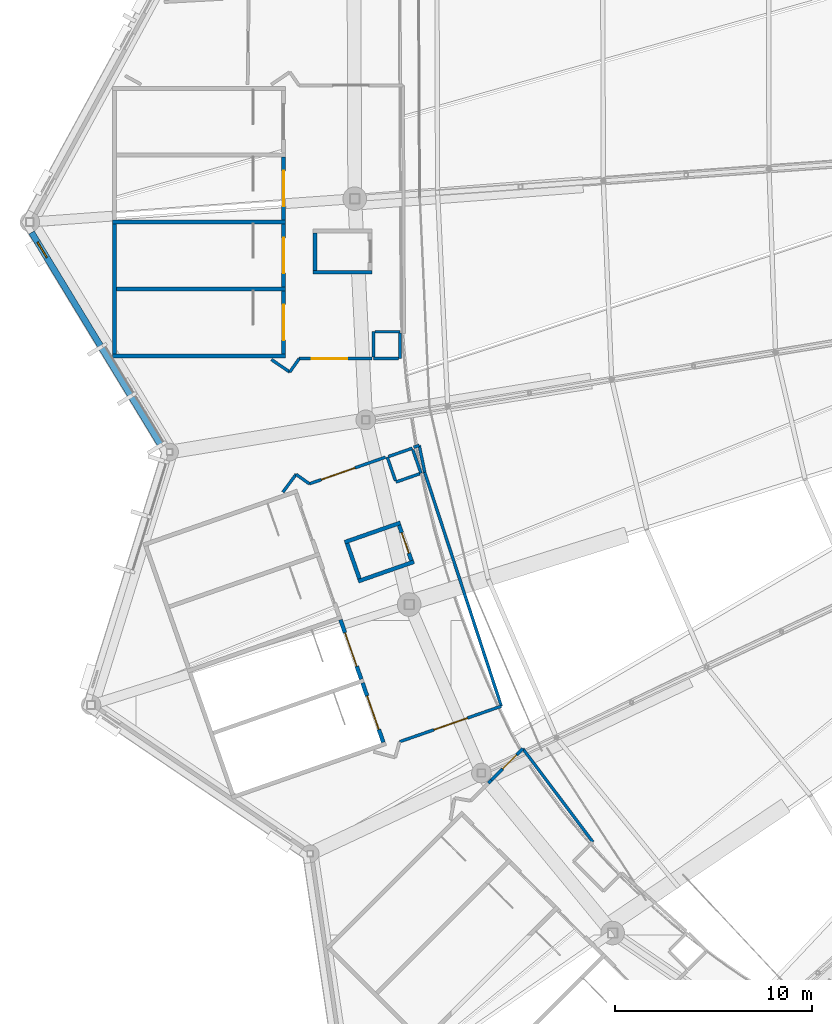
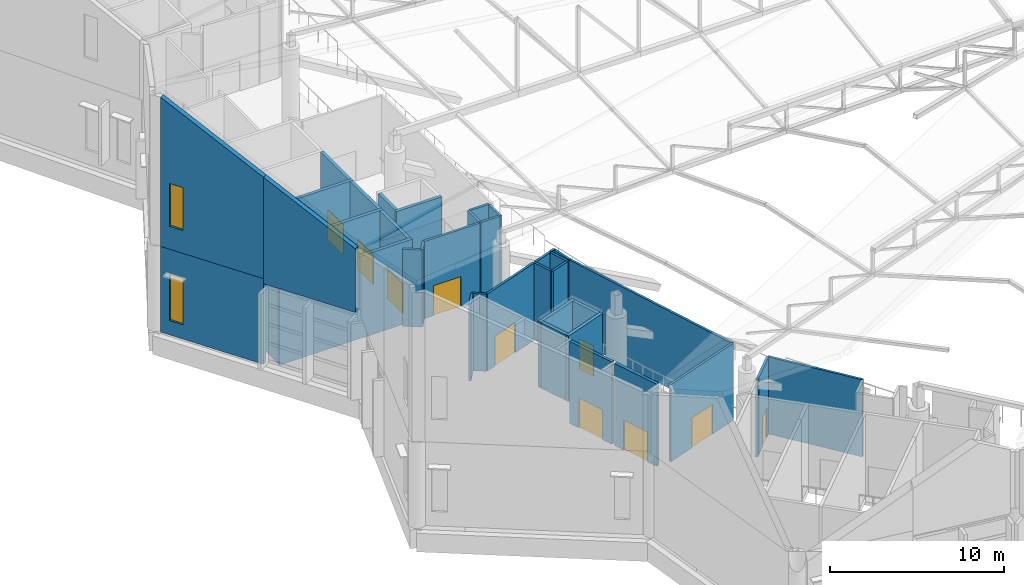
# One storey, part 245 of 344: 39 walls, 10 doors, 2 windows, 12 openings.
"""IFC4 building model written with IfcOpenShell, lengths in metres."""

import ifcopenshell
import ifcopenshell.guid

model = None  # the IFC model being written
_history = None  # IfcOwnerHistory: only IFC2X3 demands one
_inside = {}  # id of a spatial element -> (the spatial element, [elements in it])
_under = {}  # id of a project, library or spatial element -> (it, [spatial elements below it])
_declared = {}  # id of a project -> (the project, [libraries it declares])
_typed = {}  # id of a type object -> (the type object, [elements of that type])
_made_of = {}  # id of a material, layer set ... -> (it, [elements and type objects made of it])


def new_model(schema):
    """Start an empty IFC model of exactly this schema.

    Asked for "IFC4X3", IfcOpenShell would pick the latest addendum, in which some entities
    have other attributes; the version numbers below select the first issue.
    IFC2X3 requires an IfcOwnerHistory on every rooted entity: one is made here for all.
    """
    global model, _history
    if schema == "IFC4X3":
        model = ifcopenshell.file(schema_version=(4, 3, 0, 0))
    else:
        model = ifcopenshell.file(schema=schema)
    _inside.clear()
    _under.clear()
    _declared.clear()
    _typed.clear()
    _made_of.clear()
    _history = None
    if model.schema == "IFC2X3":
        org = make("IfcOrganization", Name="unknown")
        user = make(
            "IfcPersonAndOrganization",
            ThePerson=make("IfcPerson", FamilyName="unknown"),
            TheOrganization=org,
        )
        app = make(
            "IfcApplication",
            ApplicationDeveloper=org,
            Version="unknown",
            ApplicationFullName="unknown",
            ApplicationIdentifier="unknown",
        )
        _history = make(
            "IfcOwnerHistory",
            OwningUser=user,
            OwningApplication=app,
            ChangeAction="ADDED",
            CreationDate=0,
        )
    return model


def make(cls, **values):
    """One entity of the class cls with the attributes given. An attribute that is None is left unset."""
    return model.create_entity(
        cls, **{name: value for name, value in values.items() if value is not None}
    )


def rooted(cls, **values):
    """An entity with a GlobalId (a new one), such as an element, a storey or a relation."""
    return make(cls, GlobalId=ifcopenshell.guid.new(), OwnerHistory=_history, **values)


def si_unit(unit_type, name, prefix=None):
    """IfcSIUnit, for example si_unit("LENGTHUNIT", "METRE", prefix="MILLI")."""
    return make("IfcSIUnit", UnitType=unit_type, Prefix=prefix, Name=name)


def assignment(units):
    """IfcUnitAssignment: the units of a project."""
    return None if units is None else make("IfcUnitAssignment", Units=units)


def point(xyz):
    """IfcCartesianPoint."""
    return None if xyz is None else make("IfcCartesianPoint", Coordinates=xyz)


def direction(xyz):
    """IfcDirection."""
    return None if xyz is None else make("IfcDirection", DirectionRatios=xyz)


def frame(location, z_axis=None, x_axis=None):
    """IfcAxis2Placement3D, a coordinate frame: its origin and axes. An axis left out is left unset."""
    return make(
        "IfcAxis2Placement3D",
        Location=point(location),
        Axis=direction(z_axis),
        RefDirection=direction(x_axis),
    )


def frame_2d(location, x_axis=None):
    """IfcAxis2Placement2D, a coordinate frame in the plane: its origin and x axis."""
    return make(
        "IfcAxis2Placement2D", Location=point(location), RefDirection=direction(x_axis)
    )


def origin():
    """The frame at (0, 0, 0) with its axes left unset."""
    return frame((0.0, 0.0, 0.0))


def place(relative_to, where):
    """IfcLocalPlacement: puts the frame where relative to a parent placement (None: the world)."""
    return make(
        "IfcLocalPlacement", PlacementRelTo=relative_to, RelativePlacement=where
    )


def context(
    kind, dimensions, precision=None, world=None, true_north=None, identifier=None
):
    """IfcGeometricRepresentationContext, for example the 3D "Model" context."""
    return make(
        "IfcGeometricRepresentationContext",
        ContextIdentifier=identifier,
        ContextType=kind,
        CoordinateSpaceDimension=dimensions,
        Precision=precision,
        WorldCoordinateSystem=world,
        TrueNorth=true_north,
    )


def subcontext(parent, identifier, kind, view, scale=None):
    """IfcGeometricRepresentationSubContext, for example "Body" below "Model"."""
    return make(
        "IfcGeometricRepresentationSubContext",
        ContextIdentifier=identifier,
        ContextType=kind,
        ParentContext=parent,
        TargetScale=scale,
        TargetView=view,
    )


def project(units=None, contexts=None):
    """IfcProject with its units and contexts."""
    return rooted(
        "IfcProject",
        Name="project",
        RepresentationContexts=contexts,
        UnitsInContext=assignment(units),
    )


def spatial(cls, under=None, at=None, **own):
    """A site, building, storey or space (cls), placed at a placement, below another one or the project."""
    s = rooted(cls, ObjectPlacement=at, **own)
    if under is not None:
        _under.setdefault(under.id(), (under, []))[1].append(s)
    return s


def polyline(points):
    """IfcPolyline through the points."""
    return make("IfcPolyline", Points=[point(p) for p in points])


def profile(cls, at=None, kind="AREA", **sizes):
    """A parametric profile (cls). Its sizes go by their IFC names, for example OverallWidth=200.0."""
    return make(cls, ProfileType=kind, Position=at, **sizes)


def rectangle(**sizes):
    """IfcRectangleProfileDef."""
    return profile("IfcRectangleProfileDef", **sizes)


def outline(outer, holes=None, kind="AREA"):
    """IfcArbitraryClosedProfileDef: a profile drawn as a closed curve; with holes, ...WithVoids."""
    if holes is None:
        return make("IfcArbitraryClosedProfileDef", ProfileType=kind, OuterCurve=outer)
    return make(
        "IfcArbitraryProfileDefWithVoids",
        ProfileType=kind,
        OuterCurve=outer,
        InnerCurves=holes,
    )


def extrude(swept, where, along, depth):
    """IfcExtrudedAreaSolid: the profile swept, set in the frame where, extruded along a direction by depth."""
    return make(
        "IfcExtrudedAreaSolid",
        SweptArea=swept,
        Position=where,
        ExtrudedDirection=direction(along),
        Depth=depth,
    )


def shape(context_of_items, identifier, shape_type, items):
    """IfcShapeRepresentation: the items that make up one representation, for example the "Body"."""
    return make(
        "IfcShapeRepresentation",
        ContextOfItems=context_of_items,
        RepresentationIdentifier=identifier,
        RepresentationType=shape_type,
        Items=items,
    )


def material(Name=None, Category=None):
    """IfcMaterial."""
    return make("IfcMaterial", Name=Name, Category=Category)


def layer(
    of_material, thickness, ventilated=None, Name=None, Category=None, Priority=None
):
    """IfcMaterialLayer: one layer of a wall or slab, of a material (None: an air gap)."""
    return make(
        "IfcMaterialLayer",
        Material=of_material,
        LayerThickness=thickness,
        IsVentilated=ventilated,
        Name=Name,
        Category=Category,
        Priority=Priority,
    )


def layer_set(layers, Name=None):
    """IfcMaterialLayerSet."""
    return make("IfcMaterialLayerSet", MaterialLayers=layers, LayerSetName=Name)


def made_of(thing, what):
    """Note that an element or type object is made of a material, layer set ...; save() writes the relation."""
    if what is not None:
        _made_of.setdefault(what.id(), (what, []))[1].append(thing)
    return thing


def type_object(cls, material=None, **own):
    """A type object (cls), such as IfcWallType, which elements share."""
    return made_of(rooted(cls, **own), material)


def element(
    cls,
    number,
    at=None,
    inside=None,
    cuts=None,
    type_object=None,
    material=None,
    context=None,
    identifier="Body",
    shape_type=None,
    held_by="IfcProductDefinitionShape",
    body=None,
    shapes=None,
    **own,
):
    """One element of the class cls, such as IfcWall. Its Tag is "e" and its number.

    at: its placement. inside: the storey or other place that contains it. cuts: it is an
    opening in that element (IfcRelVoidsElement). A single representation is given by context,
    identifier, shape_type and body (its items); several are given by shapes. held_by: the class
    of the entity that holds the representations. save() writes the other relations.
    """
    e = rooted(cls, Tag="e%d" % number, ObjectPlacement=at, **own)
    if body is not None:
        shapes = [shape(context, identifier, shape_type, body)]
    if shapes is not None:
        e.Representation = make(held_by, Representations=shapes)
    if inside is not None:
        _inside.setdefault(inside.id(), (inside, []))[1].append(e)
    if cuts is not None:
        rooted(
            "IfcRelVoidsElement", RelatingBuildingElement=cuts, RelatedOpeningElement=e
        )
    if type_object is not None:
        _typed.setdefault(type_object.id(), (type_object, []))[1].append(e)
    return made_of(e, material)


def fill(opening, filler):
    """IfcRelFillsElement: the door or window that sits in an opening."""
    return rooted(
        "IfcRelFillsElement",
        RelatingOpeningElement=opening,
        RelatedBuildingElement=filler,
    )


def aggregate(whole, parts):
    """IfcRelAggregates: a whole, such as a stair, and the parts it consists of."""
    return rooted("IfcRelAggregates", RelatingObject=whole, RelatedObjects=parts)


def save(model, path):
    """Write the relations noted so far, then the file.

    IfcRelAggregates (storeys below a building ...), IfcRelContainedInSpatialStructure (elements
    in a storey), IfcRelDefinesByType, IfcRelAssociatesMaterial and IfcRelDeclares: one each for
    every whole, place, type object, material and project.
    """
    for whole, parts in _under.values():
        aggregate(whole, parts)
    for where, things in _inside.values():
        rooted(
            "IfcRelContainedInSpatialStructure",
            RelatedElements=things,
            RelatingStructure=where,
        )
    for kind, things in _typed.values():
        rooted("IfcRelDefinesByType", RelatedObjects=things, RelatingType=kind)
    for what, things in _made_of.values():
        rooted("IfcRelAssociatesMaterial", RelatedObjects=things, RelatingMaterial=what)
    for by, libraries in _declared.values():
        rooted("IfcRelDeclares", RelatingContext=by, RelatedDefinitions=libraries)
    model.write(path)


model = new_model("IFC4")

# Units and contexts
model_context = context("Model", 3, precision=1e-05, world=origin(), true_north=direction((0.0, 1.0)))
body_context = subcontext(model_context, "Body", "Model", "MODEL_VIEW")
ifc_project = project(units=[si_unit("LENGTHUNIT", "METRE"), si_unit("AREAUNIT", "SQUARE_METRE"), si_unit("VOLUMEUNIT", "CUBIC_METRE"), si_unit("PLANEANGLEUNIT", "RADIAN"), si_unit("MASSUNIT", "GRAM", prefix="KILO")], contexts=[model_context])

# Site, building, storey
site_placement = place(None, origin())
site = spatial("IfcSite", under=ifc_project, at=site_placement, CompositionType="ELEMENT")
building_placement = place(site_placement, origin())
building = spatial("IfcBuilding", under=site, at=building_placement, Name="Meseta Stadium", CompositionType="ELEMENT")
storey_placement = place(building_placement, frame((0.0, 0.0, 24.0)))
storey = spatial("IfcBuildingStorey", under=building, at=storey_placement, Name="L04", CompositionType="ELEMENT", Elevation=24.0)

# Walls
ifc_material_1 = material(Name="Concrete C40/50", Category="concrete")
ifc_layer_1 = layer(ifc_material_1, 0.199951171875)
ifc_layer_set_1 = layer_set([ifc_layer_1], Name="Core divider wall 200")
wall_type_1 = type_object("IfcWallType", Name="Core divider wall 200", PredefinedType="SHEAR", material=ifc_layer_set_1)
wall_1_placement = place(storey_placement, frame((-97.199951171875, -47.14990234375, 0.0), z_axis=(0.0, 0.0, 1.0), x_axis=(1.0, 0.0, 0.0)))
element("IfcWall", 1, at=wall_1_placement, inside=storey, type_object=wall_type_1, Name="Core 19 L04 stair B divider wall", PredefinedType="SHEAR", context=body_context, shape_type="SweptSolid", body=[
    extrude(rectangle(XDim=8.800048828125, YDim=0.199951171875, at=frame_2d((4.39990234375, 0.0))), origin(), (0.0, 0.0, 1.0), 5.75),
])
ifc_material_2 = material(Name="Concrete C40/50", Category="concrete")
ifc_layer_2 = layer(ifc_material_2, 0.199951171875)
ifc_layer_set_2 = layer_set([ifc_layer_2], Name="Core shaft wall 200")
wall_type_2 = type_object("IfcWallType", Name="Core shaft wall 200", PredefinedType="SHEAR", material=ifc_layer_set_2)
for number, where, z_axis, x_axis, name in (
    (2, (-97.199951171875, -43.75, 0.0), (0.0, 0.0, 1.0), (1.0, 0.0, 0.0), "Core 19 L04 stair wall shared"),
    (3, (-97.199951171875, -50.550048828125, 0.0), (0.0, 0.0, 1.0), (1.0, 0.0, 0.0), "Core 19 L04 stair wall B-side"),
):
    element("IfcWall", number, at=place(storey_placement, frame(where, z_axis=z_axis, x_axis=x_axis)), inside=storey, type_object=wall_type_2, Name=name, PredefinedType="SHEAR", context=body_context, shape_type="SweptSolid", body=[
        extrude(rectangle(XDim=8.800048828125, YDim=0.199951171875, at=frame_2d((4.39990234375, 0.0))), origin(), (0.0, 0.0, 1.0), 5.75),
    ])
wall_2_placement = place(storey_placement, frame((-97.10009765625, -43.85009765625, 0.0), z_axis=(0.0, 0.0, 1.0), x_axis=(0.0, -1.0, 0.0)))
element("IfcWall", 4, at=wall_2_placement, inside=storey, type_object=wall_type_2, Name="Core 19 L04 stair B outer end wall", PredefinedType="SHEAR", context=body_context, shape_type="SweptSolid", body=[
    extrude(rectangle(XDim=6.599853515625, YDim=0.199951171875, at=frame_2d((3.2998046875, 0.0))), origin(), (0.0, 0.0, 1.0), 5.75),
])

# Wall, opening, door
wall_3_placement = place(storey_placement, frame((-88.5, -40.449951171875, 0.0), z_axis=(0.0, 0.0, 1.0), x_axis=(0.0, -1.0, 0.0)))
wall_3 = element("IfcWall", 5, at=wall_3_placement, inside=storey, type_object=wall_type_2, Name="Core 19 L04 stair A2 inner end wall", PredefinedType="SHEAR", context=body_context, shape_type="SweptSolid", body=[
    extrude(rectangle(XDim=3.199951171875, YDim=0.199951171875, at=frame_2d((1.60009765625, 0.0))), origin(), (0.0, 0.0, 1.0), 5.75),
])
opening_1_placement = place(wall_3_placement, frame((0.699951171875, 0.0, 0.0)))
opening_1 = element("IfcOpeningElement", 6, at=opening_1_placement, cuts=wall_3, Name="Opening D1516", PredefinedType="OPENING", context=body_context, shape_type="SweptSolid", body=[
    extrude(rectangle(XDim=1.800048828125, YDim=2.10009765625, at=frame_2d((0.89990234375, 1.050048828125))), frame((0.0, 0.10986328125, 0.0), z_axis=(0.0, -1.0, 0.0), x_axis=(1.0, 0.0, 0.0)), (0.0, 0.0, 1.0), 0.219970703125),
])
ifc_material_3 = material(Name="Steel", Category="steel")
door_type_1 = type_object("IfcDoorType", Name="Stair door 1800x2100", OperationType="DOUBLE_DOOR_SINGLE_SWING", PredefinedType="DOOR", material=ifc_material_3)
door_1_placement = place(opening_1_placement, origin())
door_1 = element("IfcDoor", 7, at=door_1_placement, inside=storey, type_object=door_type_1, Name="Stair A2 door 19 L04", OperationType="DOUBLE_DOOR_SINGLE_SWING", OverallHeight=2.10009765625, OverallWidth=1.800048828125, PredefinedType="DOOR", context=body_context, shape_type="SweptSolid", body=[
    extrude(rectangle(XDim=1.800048828125, YDim=2.10009765625, at=frame_2d((0.89990234375, 1.050048828125))), frame((0.0, 0.02490234375, 0.0), z_axis=(0.0, -1.0, 0.0), x_axis=(1.0, 0.0, 0.0)), (0.0, 0.0, 1.0), 0.050048828125),
])
fill(opening_1, door_1)

wall_4_placement = place(storey_placement, frame((-88.5, -43.85009765625, 0.0), z_axis=(0.0, 0.0, 1.0), x_axis=(0.0, -1.0, 0.0)))
wall_4 = element("IfcWall", 8, at=wall_4_placement, inside=storey, type_object=wall_type_2, Name="Core 19 L04 stair B1 inner end wall", PredefinedType="SHEAR", context=body_context, shape_type="SweptSolid", body=[
    extrude(rectangle(XDim=3.199951171875, YDim=0.199951171875, at=frame_2d((1.60009765625, 0.0))), origin(), (0.0, 0.0, 1.0), 5.75),
])
opening_2_placement = place(wall_4_placement, frame((0.699951171875, 0.0, 0.0)))
opening_2 = element("IfcOpeningElement", 9, at=opening_2_placement, cuts=wall_4, Name="Opening D1515", PredefinedType="OPENING", context=body_context, shape_type="SweptSolid", body=[
    extrude(rectangle(XDim=1.800048828125, YDim=2.10009765625, at=frame_2d((0.89990234375, 1.050048828125))), frame((0.0, 0.10986328125, 0.0), z_axis=(0.0, -1.0, 0.0), x_axis=(1.0, 0.0, 0.0)), (0.0, 0.0, 1.0), 0.219970703125),
])
door_2_placement = place(opening_2_placement, origin())
door_2 = element("IfcDoor", 10, at=door_2_placement, inside=storey, type_object=door_type_1, Name="Stair B1 door 19 L04", OperationType="DOUBLE_DOOR_SINGLE_SWING", OverallHeight=2.10009765625, OverallWidth=1.800048828125, PredefinedType="DOOR", context=body_context, shape_type="SweptSolid", body=[
    extrude(rectangle(XDim=1.800048828125, YDim=2.10009765625, at=frame_2d((0.89990234375, 1.050048828125))), frame((0.0, 0.02490234375, 0.0), z_axis=(0.0, -1.0, 0.0), x_axis=(1.0, 0.0, 0.0)), (0.0, 0.0, 1.0), 0.050048828125),
])
fill(opening_2, door_2)

wall_5_placement = place(storey_placement, frame((-88.5, -47.25, 0.0), z_axis=(0.0, 0.0, 1.0), x_axis=(0.0, -1.0, 0.0)))
wall_5 = element("IfcWall", 11, at=wall_5_placement, inside=storey, type_object=wall_type_2, Name="Core 19 L04 stair B2 inner end wall", PredefinedType="SHEAR", context=body_context, shape_type="SweptSolid", body=[
    extrude(rectangle(XDim=3.199951171875, YDim=0.199951171875, at=frame_2d((1.60009765625, 0.0))), origin(), (0.0, 0.0, 1.0), 5.75),
])
opening_3_placement = place(wall_5_placement, frame((0.699951171875, 0.0, 0.0)))
opening_3 = element("IfcOpeningElement", 12, at=opening_3_placement, cuts=wall_5, Name="Opening D1514", PredefinedType="OPENING", context=body_context, shape_type="SweptSolid", body=[
    extrude(rectangle(XDim=1.800048828125, YDim=2.10009765625, at=frame_2d((0.89990234375, 1.050048828125))), frame((0.0, 0.10986328125, 0.0), z_axis=(0.0, -1.0, 0.0), x_axis=(1.0, 0.0, 0.0)), (0.0, 0.0, 1.0), 0.219970703125),
])
door_3_placement = place(opening_3_placement, origin())
door_3 = element("IfcDoor", 13, at=door_3_placement, inside=storey, type_object=door_type_1, Name="Stair B2 door 19 L04", OperationType="DOUBLE_DOOR_SINGLE_SWING", OverallHeight=2.10009765625, OverallWidth=1.800048828125, PredefinedType="DOOR", context=body_context, shape_type="SweptSolid", body=[
    extrude(rectangle(XDim=1.800048828125, YDim=2.10009765625, at=frame_2d((0.89990234375, 1.050048828125))), frame((0.0, 0.02490234375, 0.0), z_axis=(0.0, -1.0, 0.0), x_axis=(1.0, 0.0, 0.0)), (0.0, 0.0, 1.0), 0.050048828125),
])
fill(opening_3, door_3)

# Walls
wall_6_placement = place(storey_placement, frame((-87.0, -46.300048828125, 0.0), z_axis=(0.0, 0.0, 1.0), x_axis=(1.0, 0.0, 0.0)))
element("IfcWall", 14, at=wall_6_placement, inside=storey, type_object=wall_type_2, Name="Core 19 L04 lift shaft wall right", PredefinedType="SHEAR", context=body_context, shape_type="SweptSolid", body=[
    extrude(rectangle(XDim=3.0, YDim=0.199951171875, at=frame_2d((1.5, 0.0))), origin(), (0.0, 0.0, 1.0), 4.60009765625),
])
wall_7_placement = place(storey_placement, frame((-86.89990234375, -44.300048828125, 0.0), z_axis=(0.0, 0.0, 1.0), x_axis=(0.0, -1.0, 0.0)))
element("IfcWall", 15, at=wall_7_placement, inside=storey, type_object=wall_type_2, Name="Core 19 L04 lift shaft back wall", PredefinedType="SHEAR", context=body_context, shape_type="SweptSolid", body=[
    extrude(rectangle(XDim=1.89990234375, YDim=0.199951171875, at=frame_2d((0.949951171875, 0.0))), origin(), (0.0, 0.0, 1.0), 4.60009765625),
])

# Wall, opening, door
wall_8_placement = place(storey_placement, frame((-85.610107421875, -63.966064453125, 0.0), z_axis=(0.0, 0.0, 1.0), x_axis=(0.330268863922, -0.943886898693, 0.0)))
wall_8 = element("IfcWall", 16, at=wall_8_placement, inside=storey, type_object=wall_type_2, Name="Core 20 L04 stair B1 inner end wall", PredefinedType="SHEAR", context=body_context, shape_type="SweptSolid", body=[
    extrude(rectangle(XDim=3.2001953125, YDim=0.199951171875, at=frame_2d((1.60009765625, 0.0))), origin(), (0.0, 0.0, 1.0), 5.75),
])
opening_4_placement = place(wall_8_placement, frame((0.699951171875, 0.0, 0.0)))
opening_4 = element("IfcOpeningElement", 17, at=opening_4_placement, cuts=wall_8, Name="Opening D1535", PredefinedType="OPENING", context=body_context, shape_type="SweptSolid", body=[
    extrude(rectangle(XDim=1.800048828125, YDim=2.10009765625, at=frame_2d((0.89990234375, 1.050048828125))), frame((0.0, 0.10986328125, 0.0), z_axis=(0.0, -1.0, 0.0), x_axis=(1.0, 0.0, 0.0)), (0.0, 0.0, 1.0), 0.219970703125),
])
door_4_placement = place(opening_4_placement, origin())
door_4 = element("IfcDoor", 18, at=door_4_placement, inside=storey, type_object=door_type_1, Name="Stair B1 door 20 L04", OperationType="DOUBLE_DOOR_SINGLE_SWING", OverallHeight=2.10009765625, OverallWidth=1.800048828125, PredefinedType="DOOR", context=body_context, shape_type="SweptSolid", body=[
    extrude(rectangle(XDim=1.800048828125, YDim=2.10009765625, at=frame_2d((0.89990234375, 1.050048828125))), frame((0.0, 0.02490234375, 0.0), z_axis=(0.0, -1.0, 0.0), x_axis=(1.0, 0.0, 0.0)), (0.0, 0.0, 1.0), 0.050048828125),
])
fill(opening_4, door_4)

wall_9_placement = place(storey_placement, frame((-84.487060546875, -67.17529296875, 0.0), z_axis=(0.0, 0.0, 1.0), x_axis=(0.330268863922, -0.943886898693, 0.0)))
wall_9 = element("IfcWall", 19, at=wall_9_placement, inside=storey, type_object=wall_type_2, Name="Core 20 L04 stair B2 inner end wall", PredefinedType="SHEAR", context=body_context, shape_type="SweptSolid", body=[
    extrude(rectangle(XDim=3.2001953125, YDim=0.199951171875, at=frame_2d((1.60009765625, 0.0))), origin(), (0.0, 0.0, 1.0), 5.75),
])
opening_5_placement = place(wall_9_placement, frame((0.699951171875, 0.0, 0.0)))
opening_5 = element("IfcOpeningElement", 20, at=opening_5_placement, cuts=wall_9, Name="Opening D1537", PredefinedType="OPENING", context=body_context, shape_type="SweptSolid", body=[
    extrude(rectangle(XDim=1.800048828125, YDim=2.10009765625, at=frame_2d((0.89990234375, 1.050048828125))), frame((0.0, 0.10986328125, 0.0), z_axis=(0.0, -1.0, 0.0), x_axis=(1.0, 0.0, 0.0)), (0.0, 0.0, 1.0), 0.219970703125),
])
door_5_placement = place(opening_5_placement, origin())
door_5 = element("IfcDoor", 21, at=door_5_placement, inside=storey, type_object=door_type_1, Name="Stair B2 door 20 L04", OperationType="DOUBLE_DOOR_SINGLE_SWING", OverallHeight=2.10009765625, OverallWidth=1.800048828125, PredefinedType="DOOR", context=body_context, shape_type="SweptSolid", body=[
    extrude(rectangle(XDim=1.800048828125, YDim=2.10009765625, at=frame_2d((0.89990234375, 1.050048828125))), frame((0.0, 0.02490234375, 0.0), z_axis=(0.0, -1.0, 0.0), x_axis=(1.0, 0.0, 0.0)), (0.0, 0.0, 1.0), 0.050048828125),
])
fill(opening_5, door_5)

# Walls
wall_10_placement = place(storey_placement, frame((-85.39990234375, -60.025390625, 0.0), z_axis=(0.0, 0.0, 1.0), x_axis=(0.943900215722, 0.330230802259, 0.0)))
element("IfcWall", 22, at=wall_10_placement, inside=storey, type_object=wall_type_2, Name="Core 20 L04 lift shaft wall left", PredefinedType="SHEAR", context=body_context, shape_type="SweptSolid", body=[
    extrude(rectangle(XDim=3.0, YDim=0.199951171875, at=frame_2d((1.5, 0.0))), origin(), (0.0, 0.0, 1.0), 4.60009765625),
])
wall_11_placement = place(storey_placement, frame((-84.706298828125, -62.0078125, 0.0), z_axis=(0.0, 0.0, 1.0), x_axis=(0.943874847782, 0.330303302625, 0.0)))
element("IfcWall", 23, at=wall_11_placement, inside=storey, type_object=wall_type_2, Name="Core 20 L04 lift shaft wall right", PredefinedType="SHEAR", context=body_context, shape_type="SweptSolid", body=[
    extrude(rectangle(XDim=3.000244140625, YDim=0.199951171875, at=frame_2d((1.5, 0.0))), origin(), (0.0, 0.0, 1.0), 4.60009765625),
])
wall_12_placement = place(storey_placement, frame((-85.272216796875, -60.0869140625, 0.0), z_axis=(0.0, 0.0, 1.0), x_axis=(0.330224505327, -0.943902418729, 0.0)))
element("IfcWall", 24, at=wall_12_placement, inside=storey, type_object=wall_type_2, Name="Core 20 L04 lift shaft back wall", PredefinedType="SHEAR", context=body_context, shape_type="SweptSolid", body=[
    extrude(rectangle(XDim=1.900146484375, YDim=0.199951171875, at=frame_2d((0.9501953125, 0.0))), origin(), (0.0, 0.0, 1.0), 4.60009765625),
])

# Wall, opening, door
wall_13_placement = place(storey_placement, frame((-82.62939453125, -59.162109375, 0.0), z_axis=(0.0, 0.0, 1.0), x_axis=(0.330224505327, -0.943902418729, 0.0)))
wall_13 = element("IfcWall", 25, at=wall_13_placement, inside=storey, type_object=wall_type_2, Name="Core 20 L04 lift shaft front wall", PredefinedType="SHEAR", context=body_context, shape_type="SweptSolid", body=[
    extrude(rectangle(XDim=1.900146484375, YDim=0.199951171875, at=frame_2d((0.9501953125, 0.0))), origin(), (0.0, 0.0, 1.0), 4.60009765625),
])
opening_6_placement = place(wall_13_placement, frame((0.39990234375, 0.0, 0.0)))
opening_6 = element("IfcOpeningElement", 26, at=opening_6_placement, cuts=wall_13, Name="Opening LD114", PredefinedType="OPENING", context=body_context, shape_type="SweptSolid", body=[
    extrude(rectangle(XDim=1.10009765625, YDim=2.10009765625, at=frame_2d((0.550048828125, 1.050048828125))), frame((0.0, 0.10986328125, 0.0), z_axis=(0.0, -1.0, 0.0), x_axis=(1.0, 0.0, 0.0)), (0.0, 0.0, 1.0), 0.219970703125),
])
ifc_material_4 = material(Name="Steel", Category="steel")
door_type_2 = type_object("IfcDoorType", Name="Lift landing door 1100x2100", OperationType="SLIDING_TO_LEFT", PredefinedType="DOOR", material=ifc_material_4)
door_6_placement = place(opening_6_placement, origin())
door_6 = element("IfcDoor", 27, at=door_6_placement, inside=storey, type_object=door_type_2, Name="Lift landing door LD114", OperationType="SLIDING_TO_RIGHT", OverallHeight=2.10009765625, OverallWidth=1.10009765625, PredefinedType="DOOR", context=body_context, shape_type="SweptSolid", body=[
    extrude(rectangle(XDim=1.10009765625, YDim=2.10009765625, at=frame_2d((0.550048828125, 1.050048828125))), frame((0.0, 0.02490234375, 0.0), z_axis=(0.0, -1.0, 0.0), x_axis=(1.0, 0.0, 0.0)), (0.0, 0.0, 1.0), 0.050048828125),
])
fill(opening_6, door_6)

# Walls
ifc_material_5 = material(Name="Masonry blockwork", Category="masonry")
ifc_layer_3 = layer(ifc_material_5, 0.14990234375)
ifc_layer_set_3 = layer_set([ifc_layer_3], Name="Partition 150")
wall_type_3 = type_object("IfcWallType", Name="Partition 150", PredefinedType="PARTITIONING", material=ifc_layer_set_3)
for number, where, z_axis, x_axis, name in (
    (28, (-83.925048828125, -49.324951171875, 0.0), (0.0, 0.0, 1.0), (0.0, -1.0, 0.0), "Pressurisation shaft wall L04 core 19"),
    (29, (-83.925048828125, -50.675048828125, 0.0), (0.0, 0.0, 1.0), (1.0, 0.0, 0.0), "Pressurisation shaft wall L04 core 19"),
    (30, (-82.574951171875, -50.675048828125, 0.0), (0.0, 0.0, 1.0), (0.0, 1.0, 0.0), "Pressurisation shaft wall L04 core 19"),
    (31, (-82.574951171875, -49.324951171875, 0.0), (0.0, 0.0, 1.0), (-1.0, 0.0, 0.0), "Pressurisation shaft wall L04 core 19"),
):
    element("IfcWall", number, at=place(storey_placement, frame(where, z_axis=z_axis, x_axis=x_axis)), inside=storey, type_object=wall_type_3, Name=name, PredefinedType="PARTITIONING", context=body_context, shape_type="SweptSolid", body=[
        extrude(rectangle(XDim=1.275146484375, YDim=0.14990234375, at=frame_2d((0.6376953125, 0.0))), origin(), (0.0, 0.0, 1.0), 5.39990234375),
    ])
wall_14_placement = place(storey_placement, frame((-89.11962890625, -50.739501953125, 0.0), z_axis=(0.0, 0.0, 1.0), x_axis=(0.827055308354, -0.562120553728, 0.0)))
element("IfcWall", 32, at=wall_14_placement, inside=storey, type_object=wall_type_3, Name="Stair vestibule wall L04 core 19", PredefinedType="PARTITIONING", context=body_context, shape_type="SweptSolid", body=[
    extrude(rectangle(XDim=1.1279296875, YDim=0.14990234375, at=frame_2d((0.56396484375, 0.0))), origin(), (0.0, 0.0, 1.0), 5.39990234375),
])
wall_15_placement = place(storey_placement, frame((-88.186767578125, -51.37353515625, 0.0), z_axis=(0.0, 0.0, 1.0), x_axis=(0.575376756214, 0.817888493872, 0.0)))
element("IfcWall", 33, at=wall_15_placement, inside=storey, type_object=wall_type_3, Name="Stair vestibule wall L04 core 19", PredefinedType="PARTITIONING", context=body_context, shape_type="SweptSolid", body=[
    extrude(rectangle(XDim=0.82958984375, YDim=0.14990234375, at=frame_2d((0.414794921875, 0.0))), origin(), (0.0, 0.0, 1.0), 5.39990234375),
])

# Wall, opening, door
wall_16_placement = place(storey_placement, frame((-87.70947265625, -50.695068359375, 0.0), z_axis=(0.0, 0.0, 1.0), x_axis=(1.0, 0.0, 0.0)))
wall_16 = element("IfcWall", 34, at=wall_16_placement, inside=storey, type_object=wall_type_3, Name="Stair vestibule wall L04 core 19", PredefinedType="PARTITIONING", context=body_context, shape_type="SweptSolid", body=[
    extrude(rectangle(XDim=3.70361328125, YDim=0.14990234375, at=frame_2d((1.851806640625, 0.0))), origin(), (0.0, 0.0, 1.0), 5.39990234375),
])
opening_7_placement = place(wall_16_placement, frame((0.64990234375, 0.0, 0.0)))
opening_7 = element("IfcOpeningElement", 35, at=opening_7_placement, cuts=wall_16, Name="Opening D1529", PredefinedType="OPENING", context=body_context, shape_type="SweptSolid", body=[
    extrude(rectangle(XDim=1.800048828125, YDim=2.10009765625, at=frame_2d((0.89990234375, 1.050048828125))), frame((0.0, 0.0849609375, 0.0), z_axis=(0.0, -1.0, 0.0), x_axis=(1.0, 0.0, 0.0)), (0.0, 0.0, 1.0), 0.169921875),
])
ifc_material_6 = material(Name="Steel", Category="steel")
door_type_3 = type_object("IfcDoorType", Name="Fire double door 1800x2100 EI2 60", OperationType="DOUBLE_DOOR_SINGLE_SWING", PredefinedType="DOOR", material=ifc_material_6)
door_7_placement = place(opening_7_placement, origin())
door_7 = element("IfcDoor", 36, at=door_7_placement, inside=storey, type_object=door_type_3, Name="Stair vestibule door L04 core 19", OperationType="DOUBLE_DOOR_SINGLE_SWING", OverallHeight=2.10009765625, OverallWidth=1.800048828125, PredefinedType="DOOR", context=body_context, shape_type="SweptSolid", body=[
    extrude(rectangle(XDim=1.800048828125, YDim=2.10009765625, at=frame_2d((0.89990234375, 1.050048828125))), frame((0.0, 0.02490234375, 0.0), z_axis=(0.0, -1.0, 0.0), x_axis=(1.0, 0.0, 0.0)), (0.0, 0.0, 1.0), 0.050048828125),
])
fill(opening_7, door_7)

# Walls
for number, where, z_axis, x_axis, name in (
    (37, (-83.234619140625, -55.692138671875, 0.0), (0.0, 0.0, 1.0), (0.330324835387, -0.943867312246, 0.0), "Pressurisation shaft wall L04 core 20"),
    (38, (-82.78857421875, -56.96630859375, 0.0), (0.0, 0.0, 1.0), (0.943927004722, 0.330154221169, 0.0), "Pressurisation shaft wall L04 core 20"),
    (39, (-81.514404296875, -56.5205078125, 0.0), (0.0, 0.0, 1.0), (-0.330154221169, 0.943927004722, 0.0), "Pressurisation shaft wall L04 core 20"),
):
    element("IfcWall", number, at=place(storey_placement, frame(where, z_axis=z_axis, x_axis=x_axis)), inside=storey, type_object=wall_type_3, Name=name, PredefinedType="PARTITIONING", context=body_context, shape_type="SweptSolid", body=[
        extrude(rectangle(XDim=1.27490234375, YDim=0.14990234375, at=frame_2d((0.637451171875, 0.0))), origin(), (0.0, 0.0, 1.0), 5.39990234375),
    ])
wall_17_placement = place(storey_placement, frame((-81.960205078125, -55.246337890625, 0.0), z_axis=(0.0, 0.0, 1.0), x_axis=(-0.943888201207, -0.330265141396, 0.0)))
element("IfcWall", 40, at=wall_17_placement, inside=storey, type_object=wall_type_3, Name="Pressurisation shaft wall L04 core 20", PredefinedType="PARTITIONING", context=body_context, shape_type="SweptSolid", body=[
    extrude(rectangle(XDim=1.275146484375, YDim=0.14990234375, at=frame_2d((0.6376953125, 0.0))), origin(), (0.0, 0.0, 1.0), 5.39990234375),
])

# Wall, opening, door
wall_18_placement = place(storey_placement, frame((-82.602783203125, -70.165771484375, 0.0), z_axis=(0.0, 0.0, 1.0), x_axis=(0.943878515349, 0.330292821996, 0.0)))
wall_18 = element("IfcWall", 41, at=wall_18_placement, inside=storey, type_object=wall_type_3, Name="Stair vestibule wall L04 core 20", PredefinedType="PARTITIONING", context=body_context, shape_type="SweptSolid", body=[
    extrude(rectangle(XDim=5.47509765625, YDim=0.14990234375, at=frame_2d((2.737548828125, 0.0))), origin(), (0.0, 0.0, 1.0), 5.39990234375),
])
opening_8_placement = place(wall_18_placement, frame((1.85009765625, 0.0, 0.0)))
opening_8 = element("IfcOpeningElement", 42, at=opening_8_placement, cuts=wall_18, Name="Opening D1542", PredefinedType="OPENING", context=body_context, shape_type="SweptSolid", body=[
    extrude(rectangle(XDim=1.800048828125, YDim=2.10009765625, at=frame_2d((0.89990234375, 1.050048828125))), frame((0.0, 0.0849609375, 0.0), z_axis=(0.0, -1.0, 0.0), x_axis=(1.0, 0.0, 0.0)), (0.0, 0.0, 1.0), 0.169921875),
])
door_8_placement = place(opening_8_placement, origin())
door_8 = element("IfcDoor", 43, at=door_8_placement, inside=storey, type_object=door_type_3, Name="Stair vestibule door L04 core 20", OperationType="DOUBLE_DOOR_SINGLE_SWING", OverallHeight=2.10009765625, OverallWidth=1.800048828125, PredefinedType="DOOR", context=body_context, shape_type="SweptSolid", body=[
    extrude(rectangle(XDim=1.800048828125, YDim=2.10009765625, at=frame_2d((0.89990234375, 1.050048828125))), frame((0.0, 0.02490234375, 0.0), z_axis=(0.0, -1.0, 0.0), x_axis=(1.0, 0.0, 0.0)), (0.0, 0.0, 1.0), 0.050048828125),
])
fill(opening_8, door_8)

# Walls
wall_19_placement = place(storey_placement, frame((-77.43505859375, -68.357421875, 0.0), z_axis=(0.0, 0.0, 1.0), x_axis=(-0.311320262687, 0.950305053149, 0.0)))
element("IfcWall", 44, at=wall_19_placement, inside=storey, type_object=wall_type_3, Name="Stair vestibule wall L04 core 20", PredefinedType="PARTITIONING", context=body_context, shape_type="SweptSolid", body=[
    extrude(rectangle(XDim=12.532470703125, YDim=0.14990234375, at=frame_2d((6.26611328125, 0.0))), origin(), (0.0, 0.0, 1.0), 5.39990234375),
])
wall_20_placement = place(storey_placement, frame((-81.327392578125, -56.467529296875, 0.0), z_axis=(0.0, 0.0, 1.0), x_axis=(-0.200862273188, 0.979619491032, 0.0)))
element("IfcWall", 45, at=wall_20_placement, inside=storey, type_object=wall_type_3, Name="Stair vestibule wall L04 core 20", PredefinedType="PARTITIONING", context=body_context, shape_type="SweptSolid", body=[
    extrude(rectangle(XDim=1.39404296875, YDim=0.14990234375, at=frame_2d((0.697021484375, 0.0))), origin(), (0.0, 0.0, 1.0), 5.39990234375),
])
wall_21_placement = place(storey_placement, frame((-81.607421875, -55.101806640625, 0.0), z_axis=(0.0, 0.0, 1.0), x_axis=(-0.944111851886, -0.329625258633, 0.0)))
element("IfcWall", 46, at=wall_21_placement, inside=storey, type_object=wall_type_3, Name="Stair vestibule wall L04 core 20", PredefinedType="PARTITIONING", context=body_context, shape_type="SweptSolid", body=[
    extrude(rectangle(XDim=0.300048828125, YDim=0.14990234375, at=frame_2d((0.14990234375, 0.0))), origin(), (0.0, 0.0, 1.0), 5.39990234375),
])

# Wall, opening, door
wall_22_placement = place(storey_placement, frame((-83.3212890625, -55.701416015625, 0.0), z_axis=(0.0, 0.0, 1.0), x_axis=(-0.943873211719, -0.330307977801, 0.0)))
wall_22 = element("IfcWall", 47, at=wall_22_placement, inside=storey, type_object=wall_type_3, Name="Stair vestibule wall L04 core 20", PredefinedType="PARTITIONING", context=body_context, shape_type="SweptSolid", body=[
    extrude(rectangle(XDim=4.09912109375, YDim=0.14990234375, at=frame_2d((2.049560546875, 0.0))), origin(), (0.0, 0.0, 1.0), 5.39990234375),
])
opening_9_placement = place(wall_22_placement, frame((1.64990234375, 0.0, 0.0)))
opening_9 = element("IfcOpeningElement", 48, at=opening_9_placement, cuts=wall_22, Name="Opening D1530", PredefinedType="OPENING", context=body_context, shape_type="SweptSolid", body=[
    extrude(rectangle(XDim=1.800048828125, YDim=2.10009765625, at=frame_2d((0.89990234375, 1.050048828125))), frame((0.0, 0.0849609375, 0.0), z_axis=(0.0, -1.0, 0.0), x_axis=(1.0, 0.0, 0.0)), (0.0, 0.0, 1.0), 0.169921875),
])
door_9_placement = place(opening_9_placement, origin())
door_9 = element("IfcDoor", 49, at=door_9_placement, inside=storey, type_object=door_type_3, Name="Stair vestibule door L04 core 20", OperationType="DOUBLE_DOOR_SINGLE_SWING", OverallHeight=2.10009765625, OverallWidth=1.800048828125, PredefinedType="DOOR", context=body_context, shape_type="SweptSolid", body=[
    extrude(rectangle(XDim=1.800048828125, YDim=2.10009765625, at=frame_2d((0.89990234375, 1.050048828125))), frame((0.0, 0.02490234375, 0.0), z_axis=(0.0, -1.0, 0.0), x_axis=(1.0, 0.0, 0.0)), (0.0, 0.0, 1.0), 0.050048828125),
])
fill(opening_9, door_9)

# Walls
wall_23_placement = place(storey_placement, frame((-87.1904296875, -57.055419921875, 0.0), z_axis=(0.0, 0.0, 1.0), x_axis=(-0.813315890962, 0.581822362504, 0.0)))
element("IfcWall", 50, at=wall_23_placement, inside=storey, type_object=wall_type_3, Name="Stair vestibule wall L04 core 20", PredefinedType="PARTITIONING", context=body_context, shape_type="SweptSolid", body=[
    extrude(rectangle(XDim=0.830078125, YDim=0.14990234375, at=frame_2d((0.4150390625, 0.0))), origin(), (0.0, 0.0, 1.0), 5.39990234375),
])
wall_24_placement = place(storey_placement, frame((-87.865478515625, -56.572509765625, 0.0), z_axis=(0.0, 0.0, 1.0), x_axis=(-0.595036002288, -0.803699045651, 0.0)))
element("IfcWall", 51, at=wall_24_placement, inside=storey, type_object=wall_type_3, Name="Stair vestibule wall L04 core 20", PredefinedType="PARTITIONING", context=body_context, shape_type="SweptSolid", body=[
    extrude(rectangle(XDim=1.1279296875, YDim=0.14990234375, at=frame_2d((0.56396484375, 0.0))), origin(), (0.0, 0.0, 1.0), 5.39990234375),
])
wall_25_placement = place(storey_placement, frame((-72.7802734375, -75.259765625, 0.0), z_axis=(0.0, 0.0, 1.0), x_axis=(-0.600540118693, 0.799594625945, 0.0)))
element("IfcWall", 52, at=wall_25_placement, inside=storey, type_object=wall_type_3, Name="Stair vestibule wall L04 core 21", PredefinedType="PARTITIONING", context=body_context, shape_type="SweptSolid", body=[
    extrude(rectangle(XDim=5.928955078125, YDim=0.14990234375, at=frame_2d((2.96435546875, 0.0))), origin(), (0.0, 0.0, 1.0), 5.39990234375),
])

# Wall, opening, door
wall_26_placement = place(storey_placement, frame((-76.3408203125, -70.51904296875, 0.0), z_axis=(0.0, 0.0, 1.0), x_axis=(-0.707106781187, -0.707106781187, 0.0)))
wall_26 = element("IfcWall", 53, at=wall_26_placement, inside=storey, type_object=wall_type_3, Name="Stair vestibule wall L04 core 21", PredefinedType="PARTITIONING", context=body_context, shape_type="SweptSolid", body=[
    extrude(rectangle(XDim=2.251220703125, YDim=0.14990234375, at=frame_2d((1.12548828125, 0.0))), origin(), (0.0, 0.0, 1.0), 5.39990234375),
])
opening_10_placement = place(wall_26_placement, frame((0.449951171875, 0.0, 0.0)))
opening_10 = element("IfcOpeningElement", 54, at=opening_10_placement, cuts=wall_26, Name="Opening D1546", PredefinedType="OPENING", context=body_context, shape_type="SweptSolid", body=[
    extrude(rectangle(XDim=1.0, YDim=2.10009765625, at=frame_2d((0.5, 1.050048828125))), frame((0.0, 0.0849609375, 0.0), z_axis=(0.0, -1.0, 0.0), x_axis=(1.0, 0.0, 0.0)), (0.0, 0.0, 1.0), 0.169921875),
])
ifc_material_7 = material(Name="Steel", Category="steel")
door_type_4 = type_object("IfcDoorType", Name="Fire door 1000x2100 EI2 60", OperationType="NOTDEFINED", PredefinedType="DOOR", material=ifc_material_7)
door_10_placement = place(opening_10_placement, origin())
door_10 = element("IfcDoor", 55, at=door_10_placement, inside=storey, type_object=door_type_4, Name="Stair vestibule door L04 core 21", OperationType="SINGLE_SWING_LEFT", OverallHeight=2.10009765625, OverallWidth=1.0, PredefinedType="DOOR", context=body_context, shape_type="SweptSolid", body=[
    extrude(rectangle(XDim=1.0, YDim=2.10009765625, at=frame_2d((0.5, 1.050048828125))), frame((0.0, 0.02490234375, 0.0), z_axis=(0.0, -1.0, 0.0), x_axis=(1.0, 0.0, 0.0)), (0.0, 0.0, 1.0), 0.050048828125),
])
fill(opening_10, door_10)

# Wall
wall_27_placement = place(storey_placement, frame((-77.9326171875, -72.11083984375, 0.0), z_axis=(0.0, 0.0, 1.0), x_axis=(-0.707106781187, -0.707106781187, 0.0)))
element("IfcWall", 56, at=wall_27_placement, inside=storey, type_object=wall_type_3, Name="Stair vestibule wall L04 core 21", PredefinedType="PARTITIONING", context=body_context, shape_type="SweptSolid", body=[
    extrude(rectangle(XDim=0.223388671875, YDim=0.14990234375, at=frame_2d((0.11181640625, 0.0))), origin(), (0.0, 0.0, 1.0), 5.39990234375),
])

# Wall, opening, window
ifc_material_8 = material(Name="White precast concrete C40/50", Category="concrete")
ifc_layer_4 = layer(ifc_material_8, 0.320068359375)
ifc_layer_set_4 = layer_set([ifc_layer_4], Name="Pleated fascia panel 320 raked")
wall_type_4 = type_object("IfcWallType", Name="Pleated fascia panel 320 raked", PredefinedType="SOLIDWALL", material=ifc_layer_set_4)
wall_28_placement = place(storey_placement, frame((-97.81494140625, -50.033935546875, 6.0), z_axis=(0.0, 0.0, 1.0), x_axis=(-0.519367009964, 0.854551291007, 0.0)))
wall_28 = element("IfcWall", 57, at=wall_28_placement, inside=storey, type_object=wall_type_4, Name="Pleated fascia panel L04 F36", PredefinedType="SOLIDWALL", context=body_context, shape_type="SweptSolid", body=[
    extrude(outline(polyline([(0.0, 0.0), (6.732421875, 0.0), (6.732421875, 10.44189453125), (0.0, 7.095458984375), (0.0, 0.0)])), frame((0.0, 0.16015625, 0.0), z_axis=(0.0, -1.0, 0.0), x_axis=(1.0, 0.0, 0.0)), (0.0, 0.0, 1.0), 0.320068359375),
])
opening_11_placement = place(wall_28_placement, frame((5.25048828125, 0.0, 1.60009765625)))
opening_11 = element("IfcOpeningElement", 58, at=opening_11_placement, cuts=wall_28, Name="Opening W179", PredefinedType="OPENING", context=body_context, shape_type="SweptSolid", body=[
    extrude(rectangle(XDim=0.89990234375, YDim=3.0, at=frame_2d((0.449951171875, 1.5))), frame((0.0, 0.169921875, 0.0), z_axis=(0.0, -1.0, 0.0), x_axis=(1.0, 0.0, 0.0)), (0.0, 0.0, 1.0), 0.340087890625),
])
ifc_material_9 = material(Name="Aluminium", Category="aluminium")
window_type_1 = type_object("IfcWindowType", Name="Slot window 900x3000", PartitioningType="SINGLE_PANEL", PredefinedType="WINDOW", material=ifc_material_9)
window_1_placement = place(opening_11_placement, origin())
window_1 = element("IfcWindow", 59, at=window_1_placement, inside=storey, type_object=window_type_1, Name="Slot window L04 F36.6", OverallHeight=3.0, OverallWidth=0.89990234375, PartitioningType="SINGLE_PANEL", PredefinedType="WINDOW", context=body_context, shape_type="SweptSolid", body=[
    extrude(rectangle(XDim=0.89990234375, YDim=3.0, at=frame_2d((0.449951171875, 1.5))), frame((0.0, 0.030029296875, 0.0), z_axis=(0.0, -1.0, 0.0), x_axis=(1.0, 0.0, 0.0)), (0.0, 0.0, 1.0), 0.06005859375),
])
fill(opening_11, window_1)

# Wall
wall_29_placement = place(storey_placement, frame((-94.69873046875, -55.1611328125, 5.64990234375), z_axis=(0.0, 0.0, 1.0), x_axis=(-0.519376262918, 0.85454566731, 0.0)))
element("IfcWall", 60, at=wall_29_placement, inside=storey, type_object=wall_type_4, Name="Pleated facade panel above atrium F36", PredefinedType="SOLIDWALL", context=body_context, shape_type="SweptSolid", body=[
    extrude(outline(polyline([(0.0, 0.0), (6.0, 0.0), (6.0, 7.445556640625), (0.0, 4.46337890625), (0.0, 0.0)])), frame((0.0, 0.16015625, 0.0), z_axis=(0.0, -1.0, 0.0), x_axis=(1.0, 0.0, 0.0)), (0.0, 0.0, 1.0), 0.320068359375),
])

# Wall, opening, window
ifc_material_10 = material(Name="White precast concrete C40/50", Category="concrete")
ifc_layer_5 = layer(ifc_material_10, 0.320068359375)
ifc_layer_set_5 = layer_set([ifc_layer_5], Name="Pleated panel wall 320")
wall_type_5 = type_object("IfcWallType", Name="Pleated panel wall 320", PredefinedType="SOLIDWALL", material=ifc_layer_set_5)
wall_30_placement = place(storey_placement, frame((-97.81494140625, -50.033935546875, 0.0), z_axis=(0.0, 0.0, 1.0), x_axis=(-0.519367009964, 0.854551291007, 0.0)))
wall_30 = element("IfcWall", 61, at=wall_30_placement, inside=storey, type_object=wall_type_5, Name="Pleated facade panel L04 F36", PredefinedType="SOLIDWALL", context=body_context, shape_type="SweptSolid", body=[
    extrude(rectangle(XDim=6.732421875, YDim=0.320068359375, at=frame_2d((3.3662109375, 0.0))), origin(), (0.0, 0.0, 1.0), 6.0),
])
opening_12_placement = place(wall_30_placement, frame((5.25048828125, 0.0, 1.0)))
opening_12 = element("IfcOpeningElement", 62, at=opening_12_placement, cuts=wall_30, Name="Opening W178", PredefinedType="OPENING", context=body_context, shape_type="SweptSolid", body=[
    extrude(rectangle(XDim=0.89990234375, YDim=3.25, at=frame_2d((0.449951171875, 1.625))), frame((0.0, 0.169921875, 0.0), z_axis=(0.0, -1.0, 0.0), x_axis=(1.0, 0.0, 0.0)), (0.0, 0.0, 1.0), 0.340087890625),
])
ifc_material_11 = material(Name="Aluminium", Category="aluminium")
window_type_2 = type_object("IfcWindowType", Name="Slot window 900x3250", PartitioningType="SINGLE_PANEL", PredefinedType="WINDOW", material=ifc_material_11)
window_2_placement = place(opening_12_placement, origin())
window_2 = element("IfcWindow", 63, at=window_2_placement, inside=storey, type_object=window_type_2, Name="Slot window L04 F36.6", OverallHeight=3.25, OverallWidth=0.89990234375, PartitioningType="SINGLE_PANEL", PredefinedType="WINDOW", context=body_context, shape_type="SweptSolid", body=[
    extrude(rectangle(XDim=0.89990234375, YDim=3.25, at=frame_2d((0.449951171875, 1.625))), frame((0.0, 0.030029296875, 0.0), z_axis=(0.0, -1.0, 0.0), x_axis=(1.0, 0.0, 0.0)), (0.0, 0.0, 1.0), 0.06005859375),
])
fill(opening_12, window_2)

save(model, "model.ifc")
